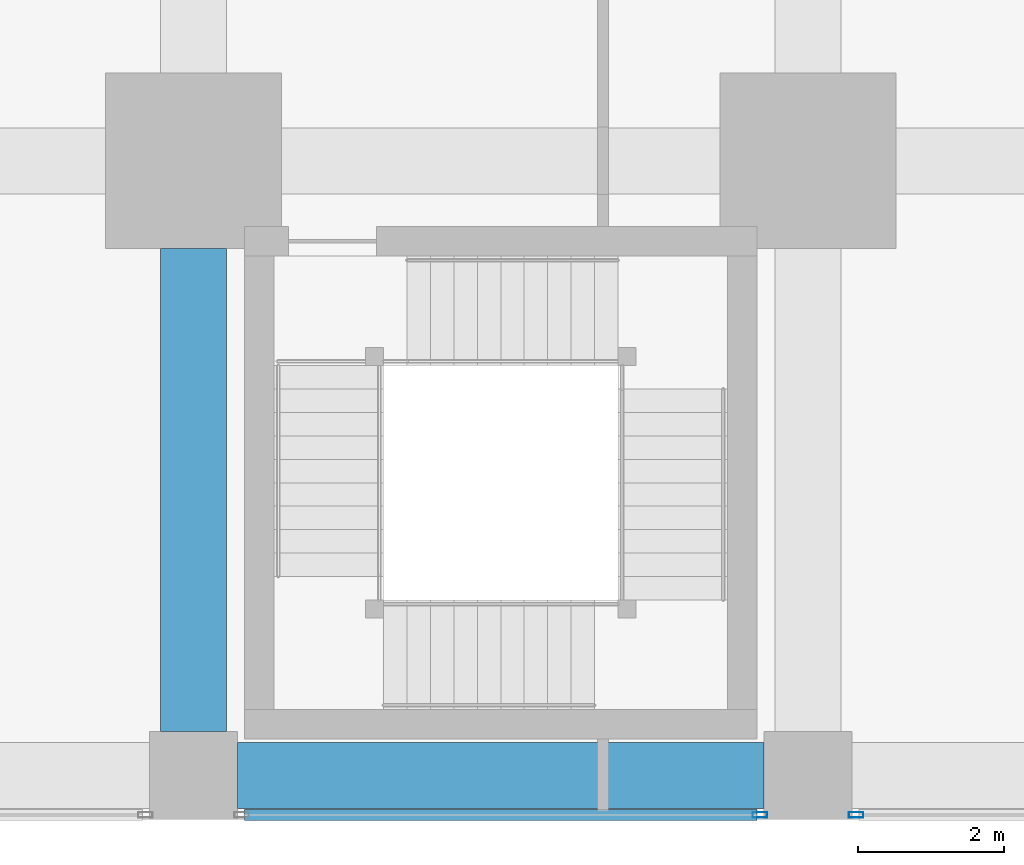
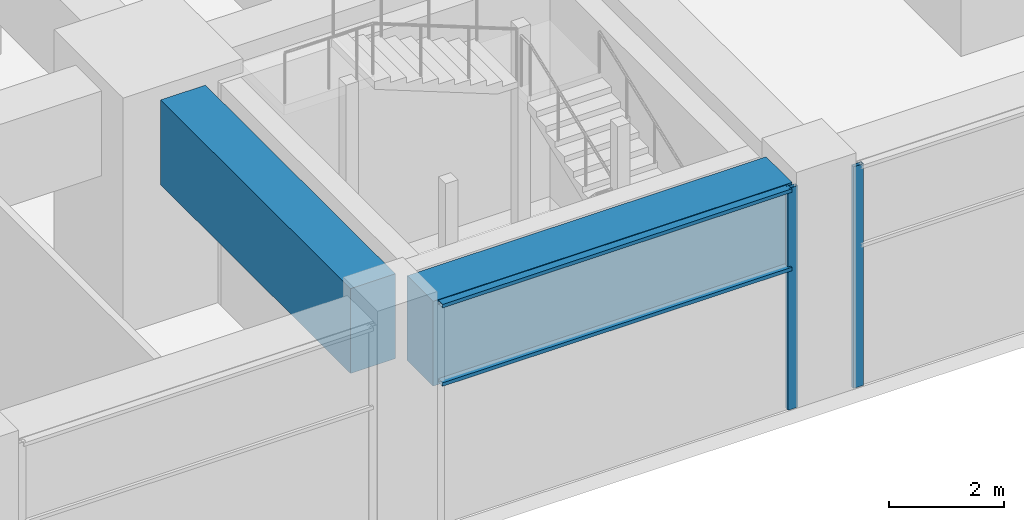
# One storey, part 7 of 48: 4 members, 2 beams, 2 elements without a shape of their own.
"""IFC4 building model written with IfcOpenShell, lengths in metres."""

from ifc_helpers import new_model, si_unit, direction, frame, origin, origin_2d, place, context, subcontext, project, spatial, rectangle, hollow_rectangle, extrude, material, material_profile, profile_set, type_object, element, aggregate, save


model = new_model("IFC4")

# Units and contexts
model_context = context("Model", 3, precision=1e-05, world=origin(), true_north=direction((0.0, 1.0)))
body_context = subcontext(model_context, "Body", "Model", "MODEL_VIEW")
ifc_project = project(units=[si_unit("LENGTHUNIT", "METRE"), si_unit("AREAUNIT", "SQUARE_METRE"), si_unit("VOLUMEUNIT", "CUBIC_METRE"), si_unit("PLANEANGLEUNIT", "RADIAN"), si_unit("MASSUNIT", "GRAM", prefix="KILO")], contexts=[model_context])

# Site, building, storey
site_placement = place(None, origin())
site = spatial("IfcSite", under=ifc_project, at=site_placement, CompositionType="ELEMENT")
building_placement = place(site_placement, origin())
building = spatial("IfcBuilding", under=site, at=building_placement, Name="Rekha Terrace Tower", CompositionType="ELEMENT")
storey_placement = place(building_placement, frame((0.0, 0.0, 15.39990234375)))
storey = spatial("IfcBuildingStorey", under=building, at=storey_placement, Name="L03", CompositionType="ELEMENT", Elevation=15.39990234375)

# Curtain wall, member
ifc_material_1 = material(Name="Aluminium framing", Category="aluminium")
curtain_wall_type = type_object("IfcCurtainWallType", Name="CW4 podium shopfront glazing", PredefinedType="USERDEFINED", material=ifc_material_1)
curtain_wall_1_placement = place(storey_placement, origin())
curtain_wall_1 = element("IfcCurtainWall", 1, at=curtain_wall_1_placement, inside=storey, type_object=curtain_wall_type, Name="CW4 shopfront curtain wall", ObjectType="SHOPFRONT CURTAIN WALL", PredefinedType="USERDEFINED")
ifc_material_2 = material(Name="Aluminium mullion section", Category="aluminium")
ifc_material_profile_1 = material_profile(ifc_material_2, hollow_rectangle(XDim=0.074951171875, YDim=0.199951171875, WallThickness=0.00390625, at=origin_2d()), Name="AL RHS 75x200")
ifc_profile_set_1 = profile_set([ifc_material_profile_1], Name="Aluminium mullion section")
member_type_1 = type_object("IfcMemberType", Name="CW4 mullion RHS 75 x 200", PredefinedType="MULLION", material=ifc_profile_set_1)
member_1_placement = place(storey_placement, frame((24.54248046875, -0.5400390625, 0.0), z_axis=(0.0, 0.0, 1.0), x_axis=(0.0, 1.0, 0.0)))
member_1 = element("IfcMember", 2, at=member_1_placement, type_object=member_type_1, Name="CW4 mullion 2", PredefinedType="MULLION", context=body_context, shape_type="SweptSolid", body=[
    extrude(hollow_rectangle(XDim=0.074951171875, YDim=0.199951171875, WallThickness=0.00390625, at=origin_2d()), origin(), (0.0, 0.0, 1.0), 4.7001953125),
])

curtain_wall_2_placement = place(storey_placement, origin())
curtain_wall_2 = element("IfcCurtainWall", 3, at=curtain_wall_2_placement, inside=storey, type_object=curtain_wall_type, Name="CW4 shopfront curtain wall", ObjectType="SHOPFRONT CURTAIN WALL", PredefinedType="USERDEFINED")
member_2_placement = place(storey_placement, frame((25.857421875, -0.5400390625, 0.0), z_axis=(0.0, 0.0, 1.0), x_axis=(0.0, 1.0, 0.0)))
member_2 = element("IfcMember", 4, at=member_2_placement, type_object=member_type_1, Name="CW4 mullion 1", PredefinedType="MULLION", context=body_context, shape_type="SweptSolid", body=[
    extrude(hollow_rectangle(XDim=0.074951171875, YDim=0.199951171875, WallThickness=0.00390625, at=origin_2d()), origin(), (0.0, 0.0, 1.0), 4.7001953125),
])
aggregate(curtain_wall_2, [member_2])

# Member
ifc_material_3 = material(Name="Aluminium transom section", Category="aluminium")
ifc_material_profile_2 = material_profile(ifc_material_3, hollow_rectangle(XDim=0.14990234375, YDim=0.074951171875, WallThickness=0.0029296875, at=origin_2d()), Name="AL RHS 150x75")
ifc_profile_set_2 = profile_set([ifc_material_profile_2], Name="Aluminium transom section")
member_type_2 = type_object("IfcMemberType", Name="CW4 transom RHS 75 x 150", PredefinedType="USERDEFINED", material=ifc_profile_set_2)
member_3_placement = place(storey_placement, frame((17.4951171875, -0.5400390625, 3.0), z_axis=(1.0, 0.0, 0.0), x_axis=(0.0, 1.0, 0.0)))
member_3 = element("IfcMember", 5, at=member_3_placement, type_object=member_type_2, Name="CW4 transom 1.2", ObjectType="TRANSOM", PredefinedType="USERDEFINED", context=body_context, shape_type="SweptSolid", body=[
    extrude(hollow_rectangle(XDim=0.14990234375, YDim=0.074951171875, WallThickness=0.0029296875, at=origin_2d()), origin(), (0.0, 0.0, 1.0), 7.009765625),
])

member_4_placement = place(storey_placement, frame((17.4951171875, -0.5400390625, 4.66259765625), z_axis=(1.0, 0.0, 0.0), x_axis=(0.0, 1.0, 0.0)))
member_4 = element("IfcMember", 6, at=member_4_placement, type_object=member_type_2, Name="CW4 transom 1.3", ObjectType="TRANSOM", PredefinedType="USERDEFINED", context=body_context, shape_type="SweptSolid", body=[
    extrude(hollow_rectangle(XDim=0.14990234375, YDim=0.074951171875, WallThickness=0.0029296875, at=origin_2d()), origin(), (0.0, 0.0, 1.0), 7.009765625),
])

aggregate(curtain_wall_1, [member_1, member_3, member_4])

# Beams
ifc_material_4 = material(Name="Concrete M60", Category="concrete")
ifc_material_profile_3 = material_profile(ifc_material_4, rectangle(XDim=0.89990234375, YDim=1.800048828125, at=origin_2d()), Name="RC 900x1800")
ifc_profile_set_3 = profile_set([ifc_material_profile_3], Name="Concrete M60")
beam_type = type_object("IfcBeamType", Name="G1 900x1800 podium floor beam", PredefinedType="BEAM", material=ifc_profile_set_3)
beam_1_placement = place(storey_placement, frame((17.39990234375, 0.0, 3.800048828125), z_axis=(1.0, 0.0, 0.0), x_axis=(0.0, 1.0, 0.0)))
element("IfcBeam", 7, at=beam_1_placement, inside=storey, type_object=beam_type, Name="Beam G1 3A-4A under L04", PredefinedType="BEAM", context=body_context, shape_type="SweptSolid", body=[
    extrude(rectangle(XDim=0.89990234375, YDim=1.800048828125, at=origin_2d()), origin(), (0.0, 0.0, 1.0), 7.2001953125),
])
beam_2_placement = place(storey_placement, frame((16.800048828125, 0.60009765625, 3.800048828125), z_axis=(0.0, 1.0, 0.0), x_axis=(-1.0, 0.0, 0.0)))
element("IfcBeam", 8, at=beam_2_placement, inside=storey, type_object=beam_type, Name="Beam G1 3A-3B under L04", PredefinedType="BEAM", context=body_context, shape_type="SweptSolid", body=[
    extrude(rectangle(XDim=0.89990234375, YDim=1.800048828125, at=origin_2d()), origin(), (0.0, 0.0, 1.0), 6.599853515625),
])

save(model, "model.ifc")
